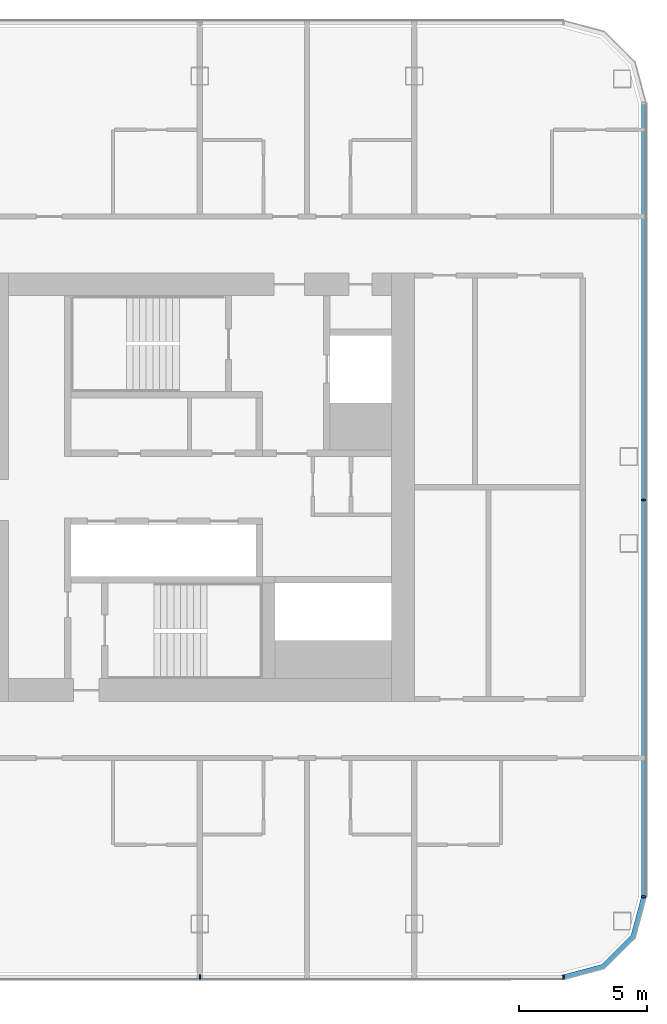
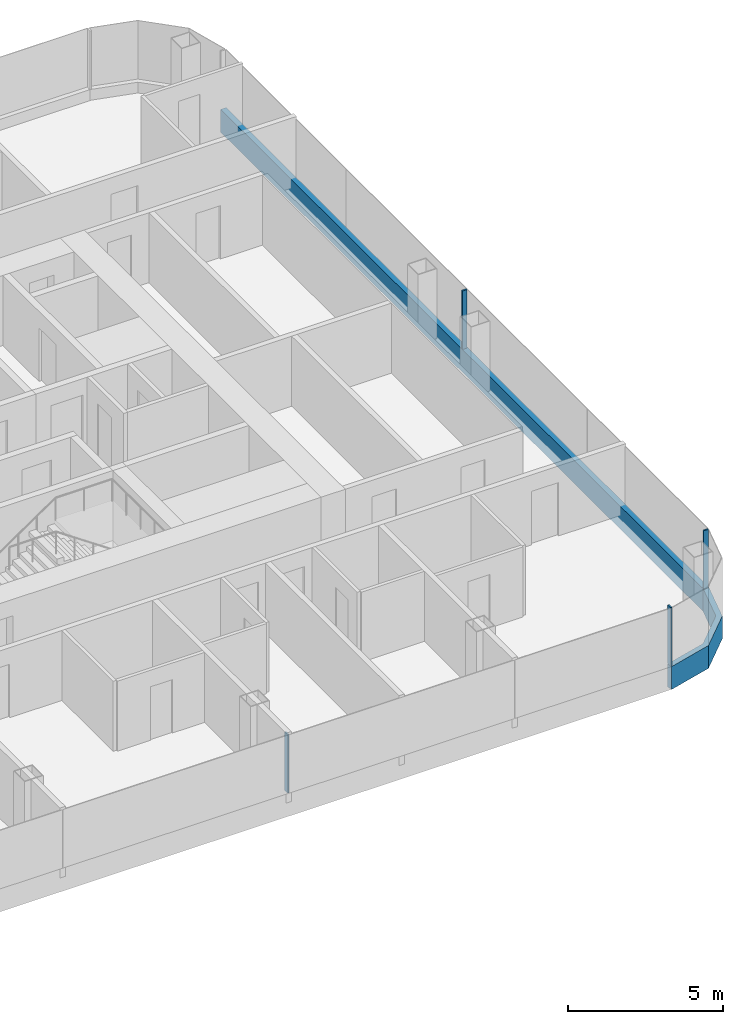
# One storey, part 9 of 26: 6 members, 3 elements without a shape of their own.
"""IFC4 building model written with IfcOpenShell, lengths in metres."""

from ifc_helpers import new_model, si_unit, direction, frame, origin, origin_2d, place, context, subcontext, project, spatial, polyline, rectangle, outline, extrude, material, layer, layer_set, material_profile, profile_set, type_object, element, aggregate, save


model = new_model("IFC4")

# Units and contexts
model_context = context("Model", 3, precision=1e-05, world=origin(), true_north=direction((0.0, 1.0)))
body_context = subcontext(model_context, "Body", "Model", "MODEL_VIEW")
ifc_project = project(units=[si_unit("LENGTHUNIT", "METRE"), si_unit("AREAUNIT", "SQUARE_METRE"), si_unit("VOLUMEUNIT", "CUBIC_METRE"), si_unit("PLANEANGLEUNIT", "RADIAN"), si_unit("MASSUNIT", "GRAM", prefix="KILO")], contexts=[model_context])

# Site, building, storey
site_placement = place(None, origin())
site = spatial("IfcSite", under=ifc_project, at=site_placement, CompositionType="ELEMENT")
building_placement = place(site_placement, origin())
building = spatial("IfcBuilding", under=site, at=building_placement, Name="Hakoniwa Tower and Hamabe Station Hall", CompositionType="ELEMENT")
storey_placement = place(building_placement, frame((0.0, 0.0, 153.39990234375)))
storey = spatial("IfcBuildingStorey", under=building, at=storey_placement, Name="L43", CompositionType="ELEMENT", Elevation=153.39990234375)

# Curtain wall, member
ifc_material_1 = material(Name="Dark low-e laminated glass", Category="glass")
ifc_layer = layer(ifc_material_1, 0.199951171875)
ifc_layer_set = layer_set([ifc_layer], Name="CW-1 UNITISED GUEST")
curtain_wall_type = type_object("IfcCurtainWallType", Name="CW-1 UNITISED GUEST", PredefinedType="NOTDEFINED", material=ifc_layer_set)
curtain_wall_1_placement = place(storey_placement, origin())
curtain_wall_1 = element("IfcCurtainWall", 1, at=curtain_wall_1_placement, inside=storey, type_object=curtain_wall_type, Name="CW-1 curtain wall", PredefinedType="NOTDEFINED")
ifc_material_2 = material(Name="Aluminium 6063-T5 black anodised", Category="aluminium")
ifc_material_profile_1 = material_profile(ifc_material_2, rectangle(XDim=0.199951171875, YDim=0.89990234375, at=origin_2d()), Name="CW SLAB-EDGE BAND 900X200")
ifc_profile_set_1 = profile_set([ifc_material_profile_1], Name="Aluminium 6063-T5 black anodised")
member_type_1 = type_object("IfcMemberType", Name="CW SLAB-EDGE BAND 900X200", PredefinedType="USERDEFINED", material=ifc_profile_set_1)
member_1_placement = place(storey_placement, frame((42.60009765625, -16.03955078125, -0.099853515625), z_axis=(0.0, 1.0, 0.0), x_axis=(-1.0, 0.0, 0.0)))
member_1 = element("IfcMember", 2, at=member_1_placement, type_object=member_type_1, Name="CW-1 transom", ObjectType="TRANSOM", PredefinedType="USERDEFINED", context=body_context, shape_type="SweptSolid", body=[
    extrude(rectangle(XDim=0.199951171875, YDim=0.89990234375, at=origin_2d()), origin(), (0.0, 0.0, 1.0), 31.0791015625),
])

curtain_wall_2_placement = place(storey_placement, origin())
curtain_wall_2 = element("IfcCurtainWall", 3, at=curtain_wall_2_placement, inside=storey, type_object=curtain_wall_type, Name="CW-1 curtain wall", PredefinedType="NOTDEFINED")
member_2_placement = place(storey_placement, frame((0.0, 0.0, -0.5498046875)))
member_2 = element("IfcMember", 4, at=member_2_placement, type_object=member_type_1, Name="CW-1 transom", ObjectType="TRANSOM", PredefinedType="USERDEFINED", context=body_context, shape_type="SweptSolid", body=[
    extrude(outline(polyline([(39.439453125, -19.300048828125), (41.05517578125, -18.866943359375), (42.26708984375, -17.6552734375), (42.699951171875, -16.03955078125), (42.5068359375, -15.98779296875), (42.087646484375, -17.5517578125), (40.95166015625, -18.687744140625), (39.3876953125, -19.10693359375), (39.439453125, -19.300048828125)])), origin(), (0.0, 0.0, 1.0), 0.89990234375),
])
aggregate(curtain_wall_2, [member_2])

# Member
ifc_material_3 = material(Name="Aluminium 6063-T5 black anodised", Category="aluminium")
ifc_material_profile_2 = material_profile(ifc_material_3, rectangle(XDim=0.06005859375, YDim=0.179931640625, at=origin_2d()), Name="CW-1 MULLION 60X180")
ifc_profile_set_2 = profile_set([ifc_material_profile_2], Name="Aluminium 6063-T5 black anodised")
member_type_2 = type_object("IfcMemberType", Name="CW-1 MULLION 60X180", PredefinedType="MULLION", material=ifc_profile_set_2)
member_3_placement = place(storey_placement, frame((42.58203125, -16.03955078125, 0.35009765625), z_axis=(0.0, 0.0, 1.0), x_axis=(0.0, 1.0, 0.0)))
member_3 = element("IfcMember", 5, at=member_3_placement, type_object=member_type_2, Name="CW-1 mullion", PredefinedType="MULLION", context=body_context, shape_type="SweptSolid", body=[
    extrude(rectangle(XDim=0.06005859375, YDim=0.179931640625, at=origin_2d()), origin(), (0.0, 0.0, 1.0), 2.300048828125),
])

member_4_placement = place(storey_placement, frame((42.58203125, -0.5, 0.35009765625), z_axis=(0.0, 0.0, 1.0), x_axis=(0.0, 1.0, 0.0)))
member_4 = element("IfcMember", 6, at=member_4_placement, type_object=member_type_2, Name="CW-1 mullion", PredefinedType="MULLION", context=body_context, shape_type="SweptSolid", body=[
    extrude(rectangle(XDim=0.06005859375, YDim=0.179931640625, at=origin_2d()), origin(), (0.0, 0.0, 1.0), 2.300048828125),
])

aggregate(curtain_wall_1, [member_3, member_4, member_1])

# Curtain wall, members
curtain_wall_3_placement = place(storey_placement, origin())
curtain_wall_3 = element("IfcCurtainWall", 7, at=curtain_wall_3_placement, inside=storey, type_object=curtain_wall_type, Name="CW-1 curtain wall", PredefinedType="NOTDEFINED")
member_5_placement = place(storey_placement, frame((25.199951171875, -19.181884765625, 0.35009765625), z_axis=(0.0, 0.0, 1.0), x_axis=(1.0, 0.0, 0.0)))
member_5 = element("IfcMember", 8, at=member_5_placement, type_object=member_type_2, Name="CW-1 mullion", PredefinedType="MULLION", context=body_context, shape_type="SweptSolid", body=[
    extrude(rectangle(XDim=0.06005859375, YDim=0.179931640625, at=origin_2d()), origin(), (0.0, 0.0, 1.0), 2.300048828125),
])
member_6_placement = place(storey_placement, frame((39.439453125, -19.181884765625, 0.35009765625), z_axis=(0.0, 0.0, 1.0), x_axis=(1.0, 0.0, 0.0)))
member_6 = element("IfcMember", 9, at=member_6_placement, type_object=member_type_2, Name="CW-1 mullion", PredefinedType="MULLION", context=body_context, shape_type="SweptSolid", body=[
    extrude(rectangle(XDim=0.06005859375, YDim=0.179931640625, at=origin_2d()), origin(), (0.0, 0.0, 1.0), 2.300048828125),
])
aggregate(curtain_wall_3, [member_5, member_6])

save(model, "model.ifc")
